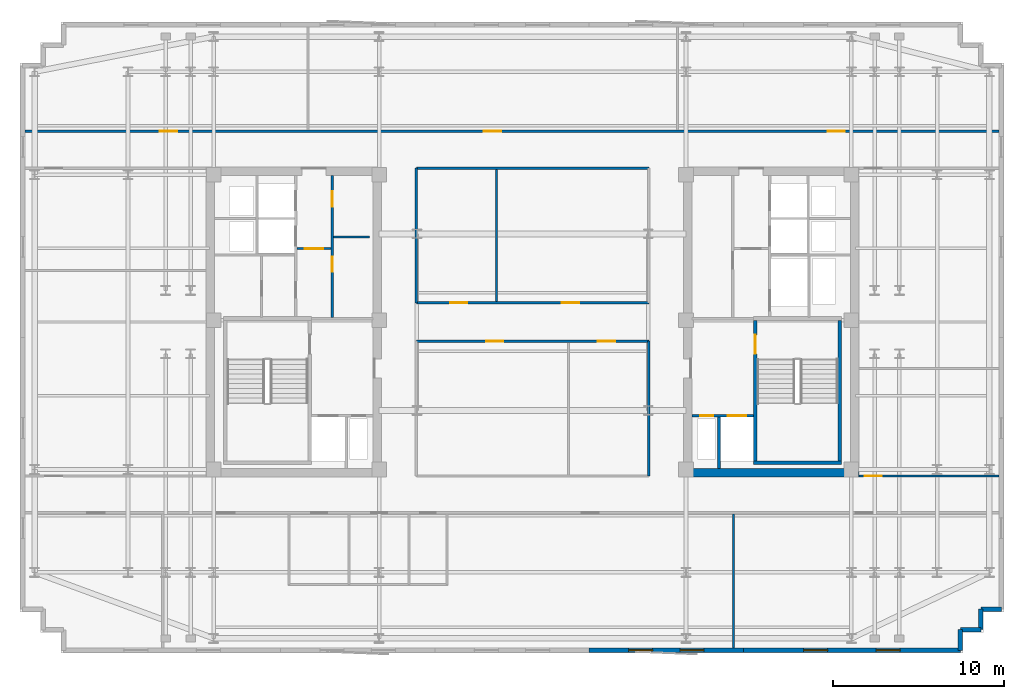
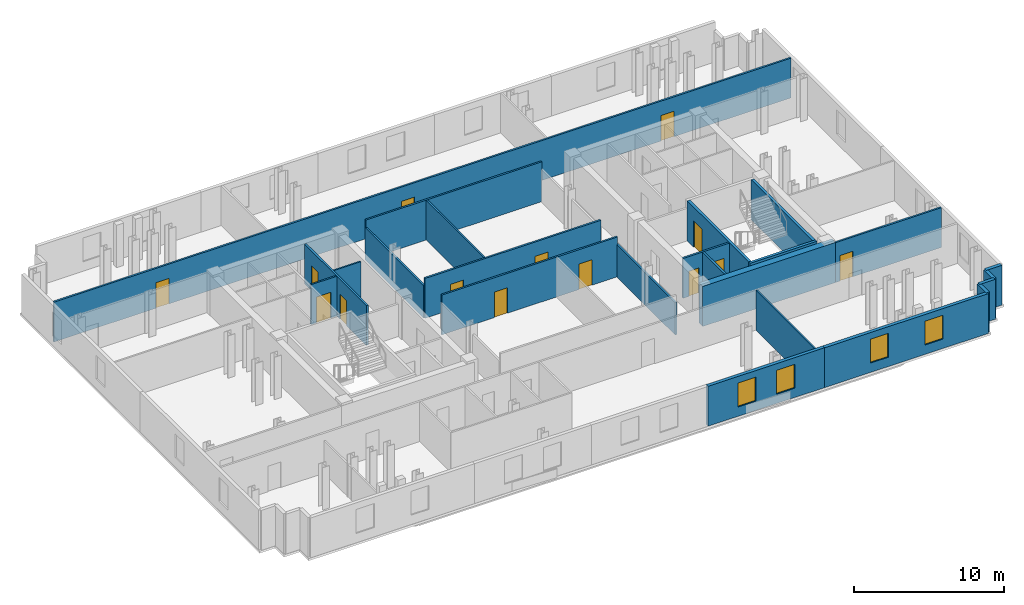
# One storey, part 5 of 9: 24 walls, 14 doors, 4 windows, 18 openings.
"""IFC4 building model written with IfcOpenShell, lengths in metres."""

from ifc_helpers import new_model, si_unit, direction, frame, frame_2d, origin, place, context, subcontext, project, spatial, rectangle, extrude, material, layer, layer_set, type_object, element, fill, save


model = new_model("IFC4")

# Units and contexts
model_context = context("Model", 3, precision=1e-05, world=origin(), true_north=direction((0.0, 1.0)))
body_context = subcontext(model_context, "Body", "Model", "MODEL_VIEW")
ifc_project = project(units=[si_unit("LENGTHUNIT", "METRE"), si_unit("AREAUNIT", "SQUARE_METRE"), si_unit("VOLUMEUNIT", "CUBIC_METRE"), si_unit("PLANEANGLEUNIT", "RADIAN"), si_unit("MASSUNIT", "GRAM", prefix="KILO")], contexts=[model_context])

# Site, building, storey
site_placement = place(None, origin())
site = spatial("IfcSite", under=ifc_project, at=site_placement, CompositionType="ELEMENT")
building_placement = place(site_placement, origin())
building = spatial("IfcBuilding", under=site, at=building_placement, Name="Velakula Bourse", CompositionType="ELEMENT")
storey_placement = place(building_placement, frame((0.0, 0.0, 215.39990234375)))
storey = spatial("IfcBuildingStorey", under=building, at=storey_placement, Name="L58", CompositionType="ELEMENT", Elevation=215.39990234375)

# Wall, opening, door
ifc_material_1 = material(Name="Concrete M50 (fck 50 MPa)", Category="concrete")
ifc_layer_1 = layer(ifc_material_1, 0.2099609375, Name="Concrete M50 (fck 50 MPa)", Category="concrete")
ifc_layer_set_1 = layer_set([ifc_layer_1], Name="Concrete M50 (fck 50 MPa)")
wall_type_1 = type_object("IfcWallType", Name="WL-CORE-210", PredefinedType="SHEAR", material=ifc_layer_set_1)
wall_1_placement = place(storey_placement, frame((12.9951171875, -8.10009765625, 0.0), z_axis=(0.0, 0.0, 1.0), x_axis=(0.0, 1.0, 0.0)))
wall_1 = element("IfcWall", 1, at=wall_1_placement, inside=storey, type_object=wall_type_1, Name="L58 Core E Stairwell Shear Wall IN", PredefinedType="SHEAR", context=body_context, shape_type="SweptSolid", body=[
    extrude(rectangle(XDim=8.2001953125, YDim=0.2099609375, at=frame_2d((4.10009765625, 0.0))), origin(), (0.0, 0.0, 1.0), 3.27001953125),
])
opening_1_placement = place(wall_1_placement, frame((6.25, 0.0, 0.0)))
opening_1 = element("IfcOpeningElement", 2, at=opening_1_placement, cuts=wall_1, Name="Opening D-STE1", PredefinedType="OPENING", context=body_context, shape_type="SweptSolid", body=[
    extrude(rectangle(XDim=1.10009765625, YDim=2.14990234375, at=frame_2d((0.550048828125, 1.074951171875))), frame((0.0, 0.114990234375, 0.0), z_axis=(0.0, -1.0, 0.0), x_axis=(1.0, 0.0, 0.0)), (0.0, 0.0, 1.0), 0.22998046875),
])
ifc_material_2 = material(Name="Galvanised painted hollow steel fire door", Category="steel")
door_type_1 = type_object("IfcDoorType", Name="DR-FD120-1100x2150", OperationType="NOTDEFINED", PredefinedType="DOOR", material=ifc_material_2)
door_1_placement = place(opening_1_placement, origin())
door_1 = element("IfcDoor", 3, at=door_1_placement, inside=storey, type_object=door_type_1, Name="L58 Stair ST-E1 Fire Door", OperationType="SINGLE_SWING_RIGHT", OverallHeight=2.14990234375, OverallWidth=1.10009765625, PredefinedType="DOOR", context=body_context, shape_type="SweptSolid", body=[
    extrude(rectangle(XDim=1.10009765625, YDim=2.14990234375, at=frame_2d((0.550048828125, 1.074951171875))), frame((0.0, 0.02490234375, 0.0), z_axis=(0.0, -1.0, 0.0), x_axis=(1.0, 0.0, 0.0)), (0.0, 0.0, 1.0), 0.050048828125),
])
fill(opening_1, door_1)

# Walls
wall_2_placement = place(storey_placement, frame((17.925048828125, -8.10009765625, 0.0), z_axis=(0.0, 0.0, 1.0), x_axis=(0.0, 1.0, 0.0)))
element("IfcWall", 4, at=wall_2_placement, inside=storey, type_object=wall_type_1, Name="L58 Core E Stairwell Shear Wall OUT", PredefinedType="SHEAR", context=body_context, shape_type="SweptSolid", body=[
    extrude(rectangle(XDim=8.2001953125, YDim=0.2099609375, at=frame_2d((4.10009765625, 0.0))), origin(), (0.0, 0.0, 1.0), 3.27001953125),
])
wall_3_placement = place(storey_placement, frame((12.889892578125, -8.205078125, 0.0), z_axis=(0.0, 0.0, 1.0), x_axis=(1.0, 0.0, 0.0)))
element("IfcWall", 5, at=wall_3_placement, inside=storey, type_object=wall_type_1, Name="L58 Core E Stairwell Shear Wall S", PredefinedType="SHEAR", context=body_context, shape_type="SweptSolid", body=[
    extrude(rectangle(XDim=5.14013671875, YDim=0.2099609375, at=frame_2d((2.570068359375, 0.0))), origin(), (0.0, 0.0, 1.0), 3.27001953125),
])
ifc_layer_2 = layer(ifc_material_1, 0.5, Name="Concrete M50 (fck 50 MPa)", Category="concrete")
ifc_layer_set_2 = layer_set([ifc_layer_2], Name="Concrete M50 (fck 50 MPa)")
wall_type_2 = type_object("IfcWallType", Name="WL-CORE-500", PredefinedType="SHEAR", material=ifc_layer_set_2)
wall_4_placement = place(storey_placement, frame((8.800048828125, -8.800048828125, 0.0), z_axis=(0.0, 0.0, 1.0), x_axis=(1.0, 0.0, 0.0)))
element("IfcWall", 6, at=wall_4_placement, inside=storey, type_object=wall_type_2, Name="L58 Core E Shear Wall S", PredefinedType="SHEAR", context=body_context, shape_type="SweptSolid", body=[
    extrude(rectangle(XDim=10.25, YDim=0.5, at=frame_2d((5.125, 0.0))), origin(), (0.0, 0.0, 1.0), 3.27001953125),
])

# Wall, openings, windows
ifc_material_3 = material(Name="Buff kilned clay facing brick masonry", Category="masonry")
ifc_layer_3 = layer(ifc_material_3, 0.260009765625, Name="Buff kilned clay facing brick masonry", Category="masonry")
ifc_layer_set_3 = layer_set([ifc_layer_3], Name="Buff kilned clay facing brick masonry")
wall_type_3 = type_object("IfcWallType", Name="WL-EXT-BRK-260", PredefinedType="STANDARD", material=ifc_layer_set_3)
wall_5_placement = place(storey_placement, frame((12.300048828125, -19.14990234375, 0.0), z_axis=(0.0, 0.0, 1.0), x_axis=(-1.0, 0.0, 0.0)))
wall_5 = element("IfcWall", 7, at=wall_5_placement, inside=storey, type_object=wall_type_3, Name="L58 S Brick Spandrel Wall B4", PredefinedType="STANDARD", context=body_context, shape_type="SweptSolid", body=[
    extrude(rectangle(XDim=9.0, YDim=0.260009765625, at=frame_2d((4.5, 0.0))), origin(), (0.0, 0.0, 1.0), 3.25),
])
opening_2_placement = place(wall_5_placement, frame((2.300048828125, 0.0, 0.760009765625)))
opening_2 = element("IfcOpeningElement", 8, at=opening_2_placement, cuts=wall_5, Name="Opening W-03", PredefinedType="OPENING", context=body_context, shape_type="SweptSolid", body=[
    extrude(rectangle(XDim=1.39990234375, YDim=1.949951171875, at=frame_2d((0.699951171875, 0.97509765625))), frame((0.0, 0.139892578125, 0.0), z_axis=(0.0, -1.0, 0.0), x_axis=(1.0, 0.0, 0.0)), (0.0, 0.0, 1.0), 0.280029296875),
])
opening_3_placement = place(wall_5_placement, frame((5.300048828125, 0.0, 0.760009765625)))
opening_3 = element("IfcOpeningElement", 9, at=opening_3_placement, cuts=wall_5, Name="Opening W-03", PredefinedType="OPENING", context=body_context, shape_type="SweptSolid", body=[
    extrude(rectangle(XDim=1.39990234375, YDim=1.949951171875, at=frame_2d((0.699951171875, 0.97509765625))), frame((0.0, 0.139892578125, 0.0), z_axis=(0.0, -1.0, 0.0), x_axis=(1.0, 0.0, 0.0)), (0.0, 0.0, 1.0), 0.280029296875),
])
ifc_material_4 = material(Name="Double-glazed solar-control Low-E glass", Category="glass")
window_type = type_object("IfcWindowType", Name="WIN-TWR-1400x2100", PartitioningType="SINGLE_PANEL", PredefinedType="WINDOW", material=ifc_material_4)
window_1_placement = place(opening_2_placement, origin())
window_1 = element("IfcWindow", 10, at=window_1_placement, inside=storey, type_object=window_type, Name="L58 Deep-Set Recessed Window 1", OverallHeight=1.949951171875, OverallWidth=1.39990234375, PartitioningType="SINGLE_PANEL", PredefinedType="WINDOW", context=body_context, shape_type="SweptSolid", body=[
    extrude(rectangle(XDim=1.39990234375, YDim=1.949951171875, at=frame_2d((0.699951171875, 0.97509765625))), frame((0.0, 0.030029296875, 0.0), z_axis=(0.0, -1.0, 0.0), x_axis=(1.0, 0.0, 0.0)), (0.0, 0.0, 1.0), 0.06005859375),
])
fill(opening_2, window_1)
window_2_placement = place(opening_3_placement, origin())
window_2 = element("IfcWindow", 11, at=window_2_placement, inside=storey, type_object=window_type, Name="L58 Deep-Set Recessed Window 2", OverallHeight=1.949951171875, OverallWidth=1.39990234375, PartitioningType="SINGLE_PANEL", PredefinedType="WINDOW", context=body_context, shape_type="SweptSolid", body=[
    extrude(rectangle(XDim=1.39990234375, YDim=1.949951171875, at=frame_2d((0.699951171875, 0.97509765625))), frame((0.0, 0.030029296875, 0.0), z_axis=(0.0, -1.0, 0.0), x_axis=(1.0, 0.0, 0.0)), (0.0, 0.0, 1.0), 0.06005859375),
])
fill(opening_3, window_2)

wall_6_placement = place(storey_placement, frame((24.949951171875, -19.14990234375, 0.0), z_axis=(0.0, 0.0, 1.0), x_axis=(-1.0, 0.0, 0.0)))
wall_6 = element("IfcWall", 12, at=wall_6_placement, inside=storey, type_object=wall_type_3, Name="L58 S Brick Spandrel Wall B5", PredefinedType="STANDARD", context=body_context, shape_type="SweptSolid", body=[
    extrude(rectangle(XDim=12.64990234375, YDim=0.260009765625, at=frame_2d((6.324951171875, 0.0))), origin(), (0.0, 0.0, 1.0), 3.25),
])
opening_4_placement = place(wall_6_placement, frame((3.5166015625, 0.0, 0.760009765625)))
opening_4 = element("IfcOpeningElement", 13, at=opening_4_placement, cuts=wall_6, Name="Opening W-03", PredefinedType="OPENING", context=body_context, shape_type="SweptSolid", body=[
    extrude(rectangle(XDim=1.39990234375, YDim=1.949951171875, at=frame_2d((0.699951171875, 0.97509765625))), frame((0.0, 0.139892578125, 0.0), z_axis=(0.0, -1.0, 0.0), x_axis=(1.0, 0.0, 0.0)), (0.0, 0.0, 1.0), 0.280029296875),
])
opening_5_placement = place(wall_6_placement, frame((7.7333984375, 0.0, 0.760009765625)))
opening_5 = element("IfcOpeningElement", 14, at=opening_5_placement, cuts=wall_6, Name="Opening W-03", PredefinedType="OPENING", context=body_context, shape_type="SweptSolid", body=[
    extrude(rectangle(XDim=1.39990234375, YDim=1.949951171875, at=frame_2d((0.699951171875, 0.97509765625))), frame((0.0, 0.139892578125, 0.0), z_axis=(0.0, -1.0, 0.0), x_axis=(1.0, 0.0, 0.0)), (0.0, 0.0, 1.0), 0.280029296875),
])
window_3_placement = place(opening_4_placement, origin())
window_3 = element("IfcWindow", 15, at=window_3_placement, inside=storey, type_object=window_type, Name="L58 Deep-Set Recessed Window 1", OverallHeight=1.949951171875, OverallWidth=1.39990234375, PartitioningType="SINGLE_PANEL", PredefinedType="WINDOW", context=body_context, shape_type="SweptSolid", body=[
    extrude(rectangle(XDim=1.39990234375, YDim=1.949951171875, at=frame_2d((0.699951171875, 0.97509765625))), frame((0.0, 0.030029296875, 0.0), z_axis=(0.0, -1.0, 0.0), x_axis=(1.0, 0.0, 0.0)), (0.0, 0.0, 1.0), 0.06005859375),
])
fill(opening_4, window_3)
window_4_placement = place(opening_5_placement, origin())
window_4 = element("IfcWindow", 16, at=window_4_placement, inside=storey, type_object=window_type, Name="L58 Deep-Set Recessed Window 2", OverallHeight=1.949951171875, OverallWidth=1.39990234375, PartitioningType="SINGLE_PANEL", PredefinedType="WINDOW", context=body_context, shape_type="SweptSolid", body=[
    extrude(rectangle(XDim=1.39990234375, YDim=1.949951171875, at=frame_2d((0.699951171875, 0.97509765625))), frame((0.0, 0.030029296875, 0.0), z_axis=(0.0, -1.0, 0.0), x_axis=(1.0, 0.0, 0.0)), (0.0, 0.0, 1.0), 0.06005859375),
])
fill(opening_5, window_4)

# Walls
for number, where, z_axis, x_axis, name in (
    (17, (24.949951171875, -19.14990234375, 0.0), (0.0, 0.0, 1.0), (0.0, 1.0, 0.0), "L58 Serrated Corner Brick Wall SE-1"),
    (18, (24.949951171875, -17.949951171875, 0.0), (0.0, 0.0, 1.0), (1.0, 0.0, 0.0), "L58 Serrated Corner Brick Wall SE-2"),
    (19, (26.14990234375, -17.949951171875, 0.0), (0.0, 0.0, 1.0), (0.0, 1.0, 0.0), "L58 Serrated Corner Brick Wall SE-3"),
):
    element("IfcWall", number, at=place(storey_placement, frame(where, z_axis=z_axis, x_axis=x_axis)), inside=storey, type_object=wall_type_3, Name=name, PredefinedType="STANDARD", context=body_context, shape_type="SweptSolid", body=[
        extrude(rectangle(XDim=1.199951171875, YDim=0.260009765625, at=frame_2d((0.60009765625, 0.0))), origin(), (0.0, 0.0, 1.0), 3.25),
    ])
wall_7_placement = place(storey_placement, frame((26.14990234375, -16.75, 0.0), z_axis=(0.0, 0.0, 1.0), x_axis=(1.0, 0.0, 0.0)))
element("IfcWall", 20, at=wall_7_placement, inside=storey, type_object=wall_type_3, Name="L58 Serrated Corner Brick Wall SE-4", PredefinedType="STANDARD", context=body_context, shape_type="SweptSolid", body=[
    extrude(rectangle(XDim=1.2001953125, YDim=0.260009765625, at=frame_2d((0.60009765625, 0.0))), origin(), (0.0, 0.0, 1.0), 3.25),
])

# Wall, opening, door
ifc_material_5 = material(Name="Fire-rated double-layer gypsum drywall partition", Category="gypsum")
ifc_layer_4 = layer(ifc_material_5, 0.1201171875, Name="Fire-rated double-layer gypsum drywall partition", Category="gypsum")
ifc_layer_set_4 = layer_set([ifc_layer_4], Name="Fire-rated double-layer gypsum drywall partition")
wall_type_4 = type_object("IfcWallType", Name="WL-PART-120", PredefinedType="STANDARD", material=ifc_layer_set_4)
wall_8_placement = place(storey_placement, frame((-13.75, 4.280029296875, 0.0), z_axis=(0.0, 0.0, 1.0), x_axis=(1.0, 0.0, 0.0)))
wall_8 = element("IfcWall", 21, at=wall_8_placement, inside=storey, type_object=wall_type_4, Name="L58 Interior Partition WL-CRW-L58-LL-K2", PredefinedType="STANDARD", context=body_context, shape_type="SweptSolid", body=[
    extrude(rectangle(XDim=2.0, YDim=0.1201171875, at=frame_2d((1.0, 0.0))), origin(), (0.0, 0.0, 1.0), 3.25),
])
opening_6_placement = place(wall_8_placement, frame((0.449951171875, 0.0, 0.0)))
opening_6 = element("IfcOpeningElement", 22, at=opening_6_placement, cuts=wall_8, Name="Opening D-LK2", PredefinedType="OPENING", context=body_context, shape_type="SweptSolid", body=[
    extrude(rectangle(XDim=1.10009765625, YDim=2.10009765625, at=frame_2d((0.550048828125, 1.050048828125))), frame((0.0, 0.070068359375, 0.0), z_axis=(0.0, -1.0, 0.0), x_axis=(1.0, 0.0, 0.0)), (0.0, 0.0, 1.0), 0.14013671875),
])
ifc_material_6 = material(Name="Fire-rated hardwood flush architectural door", Category="wood")
door_type_2 = type_object("IfcDoorType", Name="DR-FD60-1100x2100", OperationType="NOTDEFINED", PredefinedType="DOOR", material=ifc_material_6)
door_2_placement = place(opening_6_placement, origin())
door_2 = element("IfcDoor", 23, at=door_2_placement, inside=storey, type_object=door_type_2, Name="L58 Core W Lift Lobby Zone Door", OperationType="SINGLE_SWING_RIGHT", OverallHeight=2.10009765625, OverallWidth=1.10009765625, PredefinedType="DOOR", context=body_context, shape_type="SweptSolid", body=[
    extrude(rectangle(XDim=1.10009765625, YDim=2.10009765625, at=frame_2d((0.550048828125, 1.050048828125))), frame((0.0, 0.02490234375, 0.0), z_axis=(0.0, -1.0, 0.0), x_axis=(1.0, 0.0, 0.0)), (0.0, 0.0, 1.0), 0.050048828125),
])
fill(opening_6, door_2)

# Walls
wall_9_placement = place(storey_placement, frame((-11.60009765625, 4.949951171875, 0.0), z_axis=(0.0, 0.0, 1.0), x_axis=(1.0, 0.0, 0.0)))
element("IfcWall", 24, at=wall_9_placement, inside=storey, type_object=wall_type_4, Name="L58 Interior Partition WL-CRW-L58-RCDIV", PredefinedType="STANDARD", context=body_context, shape_type="SweptSolid", body=[
    extrude(rectangle(XDim=2.10009765625, YDim=0.1201171875, at=frame_2d((1.050048828125, 0.0))), origin(), (0.0, 0.0, 1.0), 3.25),
])
wall_10_placement = place(storey_placement, frame((11.722900390625, -19.02001953125, 0.0), z_axis=(0.0, 0.0, 1.0), x_axis=(0.0, 1.0, 0.0)))
element("IfcWall", 25, at=wall_10_placement, inside=storey, type_object=wall_type_4, Name="L58 Interior Partition WL-INT-L58-SR-D6", PredefinedType="STANDARD", context=body_context, shape_type="SweptSolid", body=[
    extrude(rectangle(XDim=7.830078125, YDim=0.1201171875, at=frame_2d((3.9150390625, 0.0))), origin(), (0.0, 0.0, 1.0), 3.25),
])

# Wall, openings, doors
ifc_layer_5 = layer(ifc_material_5, 0.139892578125, Name="Fire-rated double-layer gypsum drywall partition", Category="gypsum")
ifc_layer_set_5 = layer_set([ifc_layer_5], Name="Fire-rated double-layer gypsum drywall partition")
wall_type_5 = type_object("IfcWallType", Name="WL-PART-140", PredefinedType="STANDARD", material=ifc_layer_set_5)
wall_11_placement = place(storey_placement, frame((-29.6201171875, 11.1201171875, 0.0), z_axis=(0.0, 0.0, 1.0), x_axis=(1.0, 0.0, 0.0)))
wall_11 = element("IfcWall", 26, at=wall_11_placement, inside=storey, type_object=wall_type_5, Name="L58 Interior Partition WL-INT-L58-N-CORR", PredefinedType="STANDARD", context=body_context, shape_type="SweptSolid", body=[
    extrude(rectangle(XDim=56.840087890625, YDim=0.139892578125, at=frame_2d((28.419921875, 0.0))), origin(), (0.0, 0.0, 1.0), 3.25),
])
opening_7_placement = place(wall_11_placement, frame((7.880615234375, 0.0, 0.0)))
opening_7 = element("IfcOpeningElement", 27, at=opening_7_placement, cuts=wall_11, Name="Opening D-OF1", PredefinedType="OPENING", context=body_context, shape_type="SweptSolid", body=[
    extrude(rectangle(XDim=1.0, YDim=2.080078125, at=frame_2d((0.5, 1.0400390625))), frame((0.0, 0.079833984375, 0.0), z_axis=(0.0, -1.0, 0.0), x_axis=(1.0, 0.0, 0.0)), (0.0, 0.0, 1.0), 0.159912109375),
])
opening_8_placement = place(wall_11_placement, frame((26.785400390625, 0.0, 0.0)))
opening_8 = element("IfcOpeningElement", 28, at=opening_8_placement, cuts=wall_11, Name="Opening D-OF1", PredefinedType="OPENING", context=body_context, shape_type="SweptSolid", body=[
    extrude(rectangle(XDim=1.0, YDim=2.080078125, at=frame_2d((0.5, 1.0400390625))), frame((0.0, 0.079833984375, 0.0), z_axis=(0.0, -1.0, 0.0), x_axis=(1.0, 0.0, 0.0)), (0.0, 0.0, 1.0), 0.159912109375),
])
opening_9_placement = place(wall_11_placement, frame((46.824951171875, 0.0, 0.0)))
opening_9 = element("IfcOpeningElement", 29, at=opening_9_placement, cuts=wall_11, Name="Opening D-OF1", PredefinedType="OPENING", context=body_context, shape_type="SweptSolid", body=[
    extrude(rectangle(XDim=1.0, YDim=2.080078125, at=frame_2d((0.5, 1.0400390625))), frame((0.0, 0.079833984375, 0.0), z_axis=(0.0, -1.0, 0.0), x_axis=(1.0, 0.0, 0.0)), (0.0, 0.0, 1.0), 0.159912109375),
])
door_type_3 = type_object("IfcDoorType", Name="DR-OFF-1000", OperationType="NOTDEFINED", PredefinedType="DOOR", material=ifc_material_6)
door_3_placement = place(opening_7_placement, origin())
door_3 = element("IfcDoor", 30, at=door_3_placement, inside=storey, type_object=door_type_3, Name="L58 ETF Market-Making Workspace Door", OperationType="SINGLE_SWING_RIGHT", OverallHeight=2.080078125, OverallWidth=1.0, PredefinedType="DOOR", context=body_context, shape_type="SweptSolid", body=[
    extrude(rectangle(XDim=1.0, YDim=2.080078125, at=frame_2d((0.5, 1.0400390625))), frame((0.0, 0.02490234375, 0.0), z_axis=(0.0, -1.0, 0.0), x_axis=(1.0, 0.0, 0.0)), (0.0, 0.0, 1.0), 0.050048828125),
])
fill(opening_7, door_3)
door_4_placement = place(opening_8_placement, origin())
door_4 = element("IfcDoor", 31, at=door_4_placement, inside=storey, type_object=door_type_3, Name="L58 Peer Review Boardroom Door", OperationType="SINGLE_SWING_RIGHT", OverallHeight=2.080078125, OverallWidth=1.0, PredefinedType="DOOR", context=body_context, shape_type="SweptSolid", body=[
    extrude(rectangle(XDim=1.0, YDim=2.080078125, at=frame_2d((0.5, 1.0400390625))), frame((0.0, 0.02490234375, 0.0), z_axis=(0.0, -1.0, 0.0), x_axis=(1.0, 0.0, 0.0)), (0.0, 0.0, 1.0), 0.050048828125),
])
fill(opening_8, door_4)
door_5_placement = place(opening_9_placement, origin())
door_5 = element("IfcDoor", 32, at=door_5_placement, inside=storey, type_object=door_type_3, Name="L58 Catering Servery Pantry Door", OperationType="SINGLE_SWING_LEFT", OverallHeight=2.080078125, OverallWidth=1.0, PredefinedType="DOOR", context=body_context, shape_type="SweptSolid", body=[
    extrude(rectangle(XDim=1.0, YDim=2.080078125, at=frame_2d((0.5, 1.0400390625))), frame((0.0, 0.02490234375, 0.0), z_axis=(0.0, -1.0, 0.0), x_axis=(1.0, 0.0, 0.0)), (0.0, 0.0, 1.0), 0.050048828125),
])
fill(opening_9, door_5)

# Wall, opening, door
wall_12_placement = place(storey_placement, frame((19.050048828125, -8.97998046875, 0.0), z_axis=(0.0, 0.0, 1.0), x_axis=(1.0, 0.0, 0.0)))
wall_12 = element("IfcWall", 33, at=wall_12_placement, inside=storey, type_object=wall_type_5, Name="L58 Interior Partition WL-INT-L58-E-SC", PredefinedType="STANDARD", context=body_context, shape_type="SweptSolid", body=[
    extrude(rectangle(XDim=8.169921875, YDim=0.139892578125, at=frame_2d((4.0849609375, 0.0))), origin(), (0.0, 0.0, 1.0), 3.25),
])
opening_10_placement = place(wall_12_placement, frame((0.320068359375, 0.0, 0.0)))
opening_10 = element("IfcOpeningElement", 34, at=opening_10_placement, cuts=wall_12, Name="Opening D-OF1", PredefinedType="OPENING", context=body_context, shape_type="SweptSolid", body=[
    extrude(rectangle(XDim=1.0, YDim=2.080078125, at=frame_2d((0.5, 1.0400390625))), frame((0.0, 0.079833984375, 0.0), z_axis=(0.0, -1.0, 0.0), x_axis=(1.0, 0.0, 0.0)), (0.0, 0.0, 1.0), 0.159912109375),
])
door_6_placement = place(opening_10_placement, origin())
door_6 = element("IfcDoor", 35, at=door_6_placement, inside=storey, type_object=door_type_3, Name="L58 ESG Rating Analytics Workspace Door", OperationType="SINGLE_SWING_RIGHT", OverallHeight=2.080078125, OverallWidth=1.0, PredefinedType="DOOR", context=body_context, shape_type="SweptSolid", body=[
    extrude(rectangle(XDim=1.0, YDim=2.080078125, at=frame_2d((0.5, 1.0400390625))), frame((0.0, 0.02490234375, 0.0), z_axis=(0.0, -1.0, 0.0), x_axis=(1.0, 0.0, 0.0)), (0.0, 0.0, 1.0), 0.050048828125),
])
fill(opening_10, door_6)

# Wall, openings, doors
wall_13_placement = place(storey_placement, frame((-6.780029296875, 1.1201171875, 0.0), z_axis=(0.0, 0.0, 1.0), x_axis=(1.0, 0.0, 0.0)))
wall_13 = element("IfcWall", 36, at=wall_13_placement, inside=storey, type_object=wall_type_5, Name="L58 Interior Partition WL-INT-L58-MN-IN", PredefinedType="STANDARD", context=body_context, shape_type="SweptSolid", body=[
    extrude(rectangle(XDim=13.56005859375, YDim=0.139892578125, at=frame_2d((6.780029296875, 0.0))), origin(), (0.0, 0.0, 1.0), 3.25),
])
opening_11_placement = place(wall_13_placement, frame((1.966064453125, 0.0, 0.0)))
opening_11 = element("IfcOpeningElement", 37, at=opening_11_placement, cuts=wall_13, Name="Opening D-OF1", PredefinedType="OPENING", context=body_context, shape_type="SweptSolid", body=[
    extrude(rectangle(XDim=1.0, YDim=2.080078125, at=frame_2d((0.5, 1.0400390625))), frame((0.0, 0.079833984375, 0.0), z_axis=(0.0, -1.0, 0.0), x_axis=(1.0, 0.0, 0.0)), (0.0, 0.0, 1.0), 0.159912109375),
])
opening_12_placement = place(wall_13_placement, frame((8.493896484375, 0.0, 0.0)))
opening_12 = element("IfcOpeningElement", 38, at=opening_12_placement, cuts=wall_13, Name="Opening D-OF1", PredefinedType="OPENING", context=body_context, shape_type="SweptSolid", body=[
    extrude(rectangle(XDim=1.0, YDim=2.080078125, at=frame_2d((0.5, 1.0400390625))), frame((0.0, 0.079833984375, 0.0), z_axis=(0.0, -1.0, 0.0), x_axis=(1.0, 0.0, 0.0)), (0.0, 0.0, 1.0), 0.159912109375),
])
door_7_placement = place(opening_11_placement, origin())
door_7 = element("IfcDoor", 39, at=door_7_placement, inside=storey, type_object=door_type_3, Name="L58 Primary Dealer Office Door", OperationType="SINGLE_SWING_LEFT", OverallHeight=2.080078125, OverallWidth=1.0, PredefinedType="DOOR", context=body_context, shape_type="SweptSolid", body=[
    extrude(rectangle(XDim=1.0, YDim=2.080078125, at=frame_2d((0.5, 1.0400390625))), frame((0.0, 0.02490234375, 0.0), z_axis=(0.0, -1.0, 0.0), x_axis=(1.0, 0.0, 0.0)), (0.0, 0.0, 1.0), 0.050048828125),
])
fill(opening_11, door_7)
door_8_placement = place(opening_12_placement, origin())
door_8 = element("IfcDoor", 40, at=door_8_placement, inside=storey, type_object=door_type_3, Name="L58 Compliance Review Office Door", OperationType="SINGLE_SWING_RIGHT", OverallHeight=2.080078125, OverallWidth=1.0, PredefinedType="DOOR", context=body_context, shape_type="SweptSolid", body=[
    extrude(rectangle(XDim=1.0, YDim=2.080078125, at=frame_2d((0.5, 1.0400390625))), frame((0.0, 0.02490234375, 0.0), z_axis=(0.0, -1.0, 0.0), x_axis=(1.0, 0.0, 0.0)), (0.0, 0.0, 1.0), 0.050048828125),
])
fill(opening_12, door_8)

# Walls
wall_14_placement = place(storey_placement, frame((-6.780029296875, 8.97998046875, 0.0), z_axis=(0.0, 0.0, 1.0), x_axis=(1.0, 0.0, 0.0)))
element("IfcWall", 41, at=wall_14_placement, inside=storey, type_object=wall_type_5, Name="L58 Interior Partition WL-INT-L58-MN-OUT", PredefinedType="STANDARD", context=body_context, shape_type="SweptSolid", body=[
    extrude(rectangle(XDim=13.56005859375, YDim=0.139892578125, at=frame_2d((6.780029296875, 0.0))), origin(), (0.0, 0.0, 1.0), 3.25),
])
wall_15_placement = place(storey_placement, frame((-6.780029296875, 1.1201171875, 0.0), z_axis=(0.0, 0.0, 1.0), x_axis=(0.0, 1.0, 0.0)))
element("IfcWall", 42, at=wall_15_placement, inside=storey, type_object=wall_type_5, Name="L58 Interior Partition WL-INT-L58-MN-W", PredefinedType="STANDARD", context=body_context, shape_type="SweptSolid", body=[
    extrude(rectangle(XDim=7.85986328125, YDim=0.139892578125, at=frame_2d((3.929931640625, 0.0))), origin(), (0.0, 0.0, 1.0), 2.64501953125),
])
wall_16_placement = place(storey_placement, frame((-2.10009765625, 1.18994140625, 0.0), z_axis=(0.0, 0.0, 1.0), x_axis=(0.0, 1.0, 0.0)))
element("IfcWall", 43, at=wall_16_placement, inside=storey, type_object=wall_type_5, Name="L58 Interior Partition WL-INT-L58-MN-V1", PredefinedType="STANDARD", context=body_context, shape_type="SweptSolid", body=[
    extrude(rectangle(XDim=7.719970703125, YDim=0.1201171875, at=frame_2d((3.85986328125, 0.0))), origin(), (0.0, 0.0, 1.0), 3.25),
])

# Wall, openings, doors
wall_17_placement = place(storey_placement, frame((-6.780029296875, -1.1201171875, 0.0), z_axis=(0.0, 0.0, 1.0), x_axis=(1.0, 0.0, 0.0)))
wall_17 = element("IfcWall", 44, at=wall_17_placement, inside=storey, type_object=wall_type_5, Name="L58 Interior Partition WL-INT-L58-MS-IN", PredefinedType="STANDARD", context=body_context, shape_type="SweptSolid", body=[
    extrude(rectangle(XDim=13.56005859375, YDim=0.139892578125, at=frame_2d((6.780029296875, 0.0))), origin(), (0.0, 0.0, 1.0), 3.25),
])
opening_13_placement = place(wall_17_placement, frame((4.06591796875, 0.0, 0.0)))
opening_13 = element("IfcOpeningElement", 45, at=opening_13_placement, cuts=wall_17, Name="Opening D-OF1", PredefinedType="OPENING", context=body_context, shape_type="SweptSolid", body=[
    extrude(rectangle(XDim=1.0, YDim=2.080078125, at=frame_2d((0.5, 1.0400390625))), frame((0.0, 0.079833984375, 0.0), z_axis=(0.0, -1.0, 0.0), x_axis=(1.0, 0.0, 0.0)), (0.0, 0.0, 1.0), 0.159912109375),
])
opening_14_placement = place(wall_17_placement, frame((10.593994140625, 0.0, 0.0)))
opening_14 = element("IfcOpeningElement", 46, at=opening_14_placement, cuts=wall_17, Name="Opening D-OF1", PredefinedType="OPENING", context=body_context, shape_type="SweptSolid", body=[
    extrude(rectangle(XDim=1.0, YDim=2.080078125, at=frame_2d((0.5, 1.0400390625))), frame((0.0, 0.079833984375, 0.0), z_axis=(0.0, -1.0, 0.0), x_axis=(1.0, 0.0, 0.0)), (0.0, 0.0, 1.0), 0.159912109375),
])
door_9_placement = place(opening_13_placement, origin())
door_9 = element("IfcDoor", 47, at=door_9_placement, inside=storey, type_object=door_type_3, Name="L58 Treasury Operations Office Door", OperationType="SINGLE_SWING_LEFT", OverallHeight=2.080078125, OverallWidth=1.0, PredefinedType="DOOR", context=body_context, shape_type="SweptSolid", body=[
    extrude(rectangle(XDim=1.0, YDim=2.080078125, at=frame_2d((0.5, 1.0400390625))), frame((0.0, 0.02490234375, 0.0), z_axis=(0.0, -1.0, 0.0), x_axis=(1.0, 0.0, 0.0)), (0.0, 0.0, 1.0), 0.050048828125),
])
fill(opening_13, door_9)
door_10_placement = place(opening_14_placement, origin())
door_10 = element("IfcDoor", 48, at=door_10_placement, inside=storey, type_object=door_type_3, Name="L58 Bullion Assay Office Door", OperationType="SINGLE_SWING_RIGHT", OverallHeight=2.080078125, OverallWidth=1.0, PredefinedType="DOOR", context=body_context, shape_type="SweptSolid", body=[
    extrude(rectangle(XDim=1.0, YDim=2.080078125, at=frame_2d((0.5, 1.0400390625))), frame((0.0, 0.02490234375, 0.0), z_axis=(0.0, -1.0, 0.0), x_axis=(1.0, 0.0, 0.0)), (0.0, 0.0, 1.0), 0.050048828125),
])
fill(opening_14, door_10)

# Wall
wall_18_placement = place(storey_placement, frame((6.780029296875, -8.97998046875, 0.0), z_axis=(0.0, 0.0, 1.0), x_axis=(0.0, 1.0, 0.0)))
element("IfcWall", 49, at=wall_18_placement, inside=storey, type_object=wall_type_5, Name="L58 Interior Partition WL-INT-L58-MS-E", PredefinedType="STANDARD", context=body_context, shape_type="SweptSolid", body=[
    extrude(rectangle(XDim=7.85986328125, YDim=0.139892578125, at=frame_2d((3.929931640625, 0.0))), origin(), (0.0, 0.0, 1.0), 2.64501953125),
])

# Wall, openings, doors
ifc_material_7 = material(Name="Autoclaved aerated concrete blockwork masonry", Category="masonry")
ifc_layer_6 = layer(ifc_material_7, 0.14990234375, Name="Autoclaved aerated concrete blockwork masonry", Category="masonry")
ifc_layer_set_6 = layer_set([ifc_layer_6], Name="Autoclaved aerated concrete blockwork masonry")
wall_type_6 = type_object("IfcWallType", Name="WL-SHAFT-150", PredefinedType="STANDARD", material=ifc_layer_set_6)
wall_19_placement = place(storey_placement, frame((-11.675048828125, 0.27001953125, 0.0), z_axis=(0.0, 0.0, 1.0), x_axis=(0.0, 1.0, 0.0)))
wall_19 = element("IfcWall", 50, at=wall_19_placement, inside=storey, type_object=wall_type_6, Name="L58 Interior Partition WL-CRW-L58-BANK-F", PredefinedType="STANDARD", context=body_context, shape_type="SweptSolid", body=[
    extrude(rectangle(XDim=8.280029296875, YDim=0.14990234375, at=frame_2d((4.14013671875, 0.0))), origin(), (0.0, 0.0, 1.0), 3.25),
])
opening_15_placement = place(wall_19_placement, frame((2.64990234375, 0.0, 0.0)))
opening_15 = element("IfcOpeningElement", 51, at=opening_15_placement, cuts=wall_19, Name="Opening D-RC1", PredefinedType="OPENING", context=body_context, shape_type="SweptSolid", body=[
    extrude(rectangle(XDim=0.89990234375, YDim=2.050048828125, at=frame_2d((0.449951171875, 1.02490234375))), frame((0.0, 0.0849609375, 0.0), z_axis=(0.0, -1.0, 0.0), x_axis=(1.0, 0.0, 0.0)), (0.0, 0.0, 1.0), 0.169921875),
])
opening_16_placement = place(wall_19_placement, frame((6.449951171875, 0.0, 0.0)))
opening_16 = element("IfcOpeningElement", 52, at=opening_16_placement, cuts=wall_19, Name="Opening D-RC1", PredefinedType="OPENING", context=body_context, shape_type="SweptSolid", body=[
    extrude(rectangle(XDim=0.89990234375, YDim=2.050048828125, at=frame_2d((0.449951171875, 1.02490234375))), frame((0.0, 0.0849609375, 0.0), z_axis=(0.0, -1.0, 0.0), x_axis=(1.0, 0.0, 0.0)), (0.0, 0.0, 1.0), 0.169921875),
])
door_type_4 = type_object("IfcDoorType", Name="DR-FD60-900", OperationType="NOTDEFINED", PredefinedType="DOOR", material=ifc_material_6)
door_11_placement = place(opening_15_placement, origin())
door_11 = element("IfcDoor", 53, at=door_11_placement, inside=storey, type_object=door_type_4, Name="L58 Reclaimed Archive Room Door", OperationType="SINGLE_SWING_RIGHT", OverallHeight=2.050048828125, OverallWidth=0.89990234375, PredefinedType="DOOR", context=body_context, shape_type="SweptSolid", body=[
    extrude(rectangle(XDim=0.89990234375, YDim=2.050048828125, at=frame_2d((0.449951171875, 1.02490234375))), frame((0.0, 0.02490234375, 0.0), z_axis=(0.0, -1.0, 0.0), x_axis=(1.0, 0.0, 0.0)), (0.0, 0.0, 1.0), 0.050048828125),
])
fill(opening_15, door_11)
door_12_placement = place(opening_16_placement, origin())
door_12 = element("IfcDoor", 54, at=door_12_placement, inside=storey, type_object=door_type_4, Name="L58 Reclaimed Registry Store Door", OperationType="SINGLE_SWING_LEFT", OverallHeight=2.050048828125, OverallWidth=0.89990234375, PredefinedType="DOOR", context=body_context, shape_type="SweptSolid", body=[
    extrude(rectangle(XDim=0.89990234375, YDim=2.050048828125, at=frame_2d((0.449951171875, 1.02490234375))), frame((0.0, 0.02490234375, 0.0), z_axis=(0.0, -1.0, 0.0), x_axis=(1.0, 0.0, 0.0)), (0.0, 0.0, 1.0), 0.050048828125),
])
fill(opening_16, door_12)

wall_20_placement = place(storey_placement, frame((9.300048828125, -5.47509765625, 0.0), z_axis=(0.0, 0.0, 1.0), x_axis=(1.0, 0.0, 0.0)))
wall_20 = element("IfcWall", 55, at=wall_20_placement, inside=storey, type_object=wall_type_6, Name="L58 Interior Partition WL-CRE-L58-FFL-N", PredefinedType="STANDARD", context=body_context, shape_type="SweptSolid", body=[
    extrude(rectangle(XDim=3.594970703125, YDim=0.14990234375, at=frame_2d((1.79736328125, 0.0))), origin(), (0.0, 0.0, 1.0), 3.25),
])
opening_17_placement = place(wall_20_placement, frame((2.074951171875, 0.0, 0.0)))
opening_17 = element("IfcOpeningElement", 56, at=opening_17_placement, cuts=wall_20, Name="Opening LD-FFL-2", PredefinedType="OPENING", context=body_context, shape_type="SweptSolid", body=[
    extrude(rectangle(XDim=1.10009765625, YDim=2.14990234375, at=frame_2d((0.550048828125, 1.074951171875))), frame((0.0, 0.0849609375, 0.0), z_axis=(0.0, -1.0, 0.0), x_axis=(1.0, 0.0, 0.0)), (0.0, 0.0, 1.0), 0.169921875),
])
opening_18_placement = place(wall_20_placement, frame((0.47509765625, 0.0, 0.0)))
opening_18 = element("IfcOpeningElement", 57, at=opening_18_placement, cuts=wall_20, Name="Opening D-RS1", PredefinedType="OPENING", context=body_context, shape_type="SweptSolid", body=[
    extrude(rectangle(XDim=0.75, YDim=2.050048828125, at=frame_2d((0.375, 1.02490234375))), frame((0.0, 0.0849609375, 0.0), z_axis=(0.0, -1.0, 0.0), x_axis=(1.0, 0.0, 0.0)), (0.0, 0.0, 1.0), 0.169921875),
])
door_type_5 = type_object("IfcDoorType", Name="DR-RISER-800", OperationType="NOTDEFINED", PredefinedType="DOOR", material=ifc_material_2)
door_13_placement = place(opening_18_placement, origin())
door_13 = element("IfcDoor", 58, at=door_13_placement, inside=storey, type_object=door_type_5, Name="L58 Fire Riser Access Door", OperationType="SINGLE_SWING_LEFT", OverallHeight=2.050048828125, OverallWidth=0.75, PredefinedType="DOOR", context=body_context, shape_type="SweptSolid", body=[
    extrude(rectangle(XDim=0.75, YDim=2.050048828125, at=frame_2d((0.375, 1.02490234375))), frame((0.0, 0.02490234375, 0.0), z_axis=(0.0, -1.0, 0.0), x_axis=(1.0, 0.0, 0.0)), (0.0, 0.0, 1.0), 0.050048828125),
])
fill(opening_18, door_13)
ifc_material_8 = material(Name="Brushed grade 316 stainless steel", Category="steel")
door_type_6 = type_object("IfcDoorType", Name="DR-SLIDE-FFL-1100", OperationType="DOUBLE_DOOR_SLIDING", PredefinedType="DOOR", material=ifc_material_8)
door_14_placement = place(opening_17_placement, origin())
door_14 = element("IfcDoor", 59, at=door_14_placement, inside=storey, type_object=door_type_6, Name="L58 Firefighting Lift FFL-2 Sliding Landing Door", OperationType="DOUBLE_DOOR_SLIDING", OverallHeight=2.14990234375, OverallWidth=1.10009765625, PredefinedType="DOOR", context=body_context, shape_type="SweptSolid", body=[
    extrude(rectangle(XDim=1.10009765625, YDim=2.14990234375, at=frame_2d((0.550048828125, 1.074951171875))), frame((0.0, 0.02490234375, 0.0), z_axis=(0.0, -1.0, 0.0), x_axis=(1.0, 0.0, 0.0)), (0.0, 0.0, 1.0), 0.050048828125),
])
fill(opening_17, door_14)

# Wall
wall_21_placement = place(storey_placement, frame((10.875, -8.550048828125, 0.0), z_axis=(0.0, 0.0, 1.0), x_axis=(0.0, 1.0, 0.0)))
element("IfcWall", 60, at=wall_21_placement, inside=storey, type_object=wall_type_6, Name="L58 Interior Partition WL-CRE-L58-FR-DIV", PredefinedType="STANDARD", context=body_context, shape_type="SweptSolid", body=[
    extrude(rectangle(XDim=3.0, YDim=0.14990234375, at=frame_2d((1.5, 0.0))), origin(), (0.0, 0.0, 1.0), 3.25),
])

save(model, "model.ifc")
